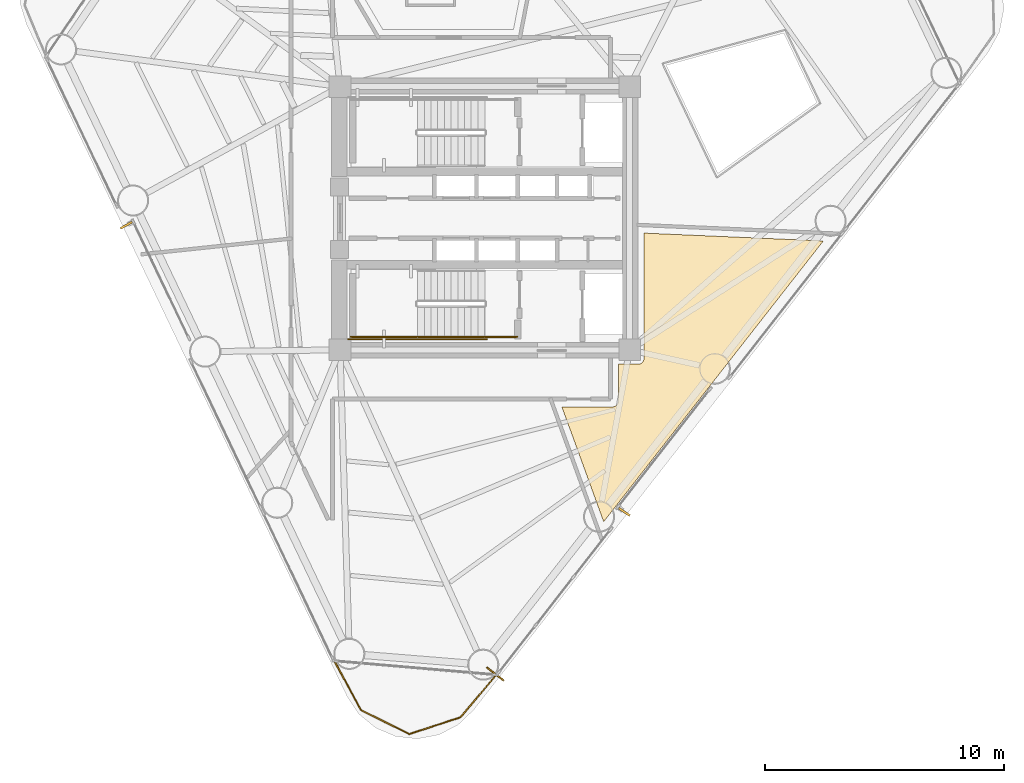
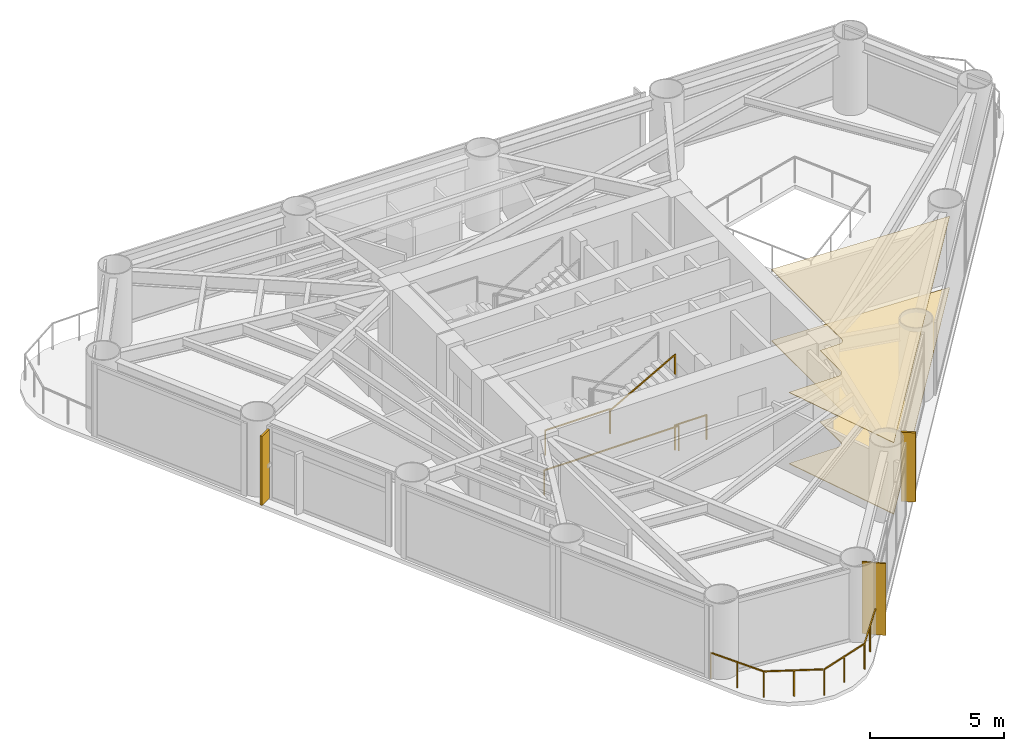
# One storey, part 8 of 10: 5 railings, 3 coverings, 2 shading devices.
"""IFC4 building model written with IfcOpenShell, lengths in metres."""

from ifc_helpers import new_model, si_unit, direction, frame, origin, origin_2d, place, context, subcontext, project, spatial, polyline, rectangle, outline, extrude, source, transform, mapped, material, layer, layer_set, material_profile, profile_set, type_object, element, save


model = new_model("IFC4")

# Units and contexts
model_context = context("Model", 3, precision=1e-05, world=origin(), true_north=direction((0.0, 1.0)))
body_context = subcontext(model_context, "Body", "Model", "MODEL_VIEW")
ifc_project = project(units=[si_unit("LENGTHUNIT", "METRE"), si_unit("AREAUNIT", "SQUARE_METRE"), si_unit("VOLUMEUNIT", "CUBIC_METRE"), si_unit("PLANEANGLEUNIT", "RADIAN"), si_unit("MASSUNIT", "GRAM", prefix="KILO")], contexts=[model_context])

# Site, building, storey
site_placement = place(None, origin())
site = spatial("IfcSite", under=ifc_project, at=site_placement, CompositionType="ELEMENT")
building_placement = place(site_placement, origin())
building = spatial("IfcBuilding", under=site, at=building_placement, Name="Yunling Apex Tower", CompositionType="ELEMENT")
storey_placement = place(building_placement, frame((0.0, 0.0, 129.5)))
storey = spatial("IfcBuildingStorey", under=building, at=storey_placement, Name="L31", CompositionType="ELEMENT", Elevation=129.5)

# Coverings
ifc_material_1 = material(Name="Acoustic mineral fibre ceiling")
ifc_layer_1 = layer(ifc_material_1, 0.02490234375)
ifc_layer_set_1 = layer_set([ifc_layer_1], Name="Acoustic mineral fibre ceiling")
covering_type_1 = type_object("IfcCoveringType", Name="CV-CLG-1", PredefinedType="CEILING", material=ifc_layer_set_1)
covering_1_placement = place(storey_placement, frame((0.0, 0.0, 3.2451171875)))
element("IfcCovering", 1, at=covering_1_placement, inside=storey, type_object=covering_type_1, Name="CV-CL-SP-L31-HAM2", PredefinedType="CEILING", context=body_context, shape_type="SweptSolid", body=[
    extrude(outline(polyline([(14.145263671875, -0.947998046875), (4.96630859375, -12.6796875), (3.21923828125, -7.8798828125), (5.333740234375, -7.8798828125), (5.35498046875, -7.87939453125), (5.380615234375, -7.875), (5.402587890625, -7.869384765625), (5.4248046875, -7.861572265625), (5.4482421875, -7.8505859375), (5.469970703125, -7.83740234375), (5.48876953125, -7.823486328125), (5.5068359375, -7.806884765625), (5.5234375, -7.788818359375), (5.537353515625, -7.77001953125), (5.55078125, -7.748291015625), (5.5615234375, -7.724853515625), (5.569580078125, -7.702392578125), (5.574951171875, -7.6806640625), (5.579345703125, -7.65478515625), (5.580078125, -7.6337890625), (5.580078125, -6.10009765625), (6.40380859375, -6.10009765625), (6.4248046875, -6.099365234375), (6.45068359375, -6.094970703125), (6.472412109375, -6.089599609375), (6.494873046875, -6.08154296875), (6.518310546875, -6.07080078125), (6.5400390625, -6.057373046875), (6.55859375, -6.04345703125), (6.576904296875, -6.02685546875), (6.593505859375, -6.0087890625), (6.607421875, -5.989990234375), (6.62060546875, -5.96826171875), (6.631591796875, -5.94482421875), (6.639404296875, -5.922607421875), (6.64501953125, -5.900634765625), (6.6494140625, -5.875), (6.64990234375, -5.853759765625), (6.64990234375, -0.62060546875), (14.145263671875, -0.947998046875)])), origin(), (0.0, 0.0, 1.0), 0.02490234375),
])
ifc_material_2 = material(Name="Polished granite stone", Category="masonry")
ifc_layer_2 = layer(ifc_material_2, 0.030029296875)
ifc_layer_set_2 = layer_set([ifc_layer_2], Name="Polished granite stone")
covering_type_2 = type_object("IfcCoveringType", Name="CV-FLR-1", PredefinedType="FLOORING", material=ifc_layer_set_2)
covering_2_placement = place(storey_placement, origin())
element("IfcCovering", 2, at=covering_2_placement, inside=storey, type_object=covering_type_2, Name="CV-FL-SP-L31-HAM2", PredefinedType="FLOORING", context=body_context, shape_type="SweptSolid", body=[
    extrude(outline(polyline([(14.145263671875, -0.947998046875), (4.96630859375, -12.6796875), (3.21923828125, -7.8798828125), (5.333740234375, -7.8798828125), (5.35498046875, -7.87939453125), (5.380615234375, -7.875), (5.402587890625, -7.869384765625), (5.4248046875, -7.861572265625), (5.4482421875, -7.8505859375), (5.469970703125, -7.83740234375), (5.48876953125, -7.823486328125), (5.5068359375, -7.806884765625), (5.5234375, -7.788818359375), (5.537353515625, -7.77001953125), (5.55078125, -7.748291015625), (5.5615234375, -7.724853515625), (5.569580078125, -7.702392578125), (5.574951171875, -7.6806640625), (5.579345703125, -7.65478515625), (5.580078125, -7.6337890625), (5.580078125, -6.10009765625), (6.40380859375, -6.10009765625), (6.4248046875, -6.099365234375), (6.45068359375, -6.094970703125), (6.472412109375, -6.089599609375), (6.494873046875, -6.08154296875), (6.518310546875, -6.07080078125), (6.5400390625, -6.057373046875), (6.55859375, -6.04345703125), (6.576904296875, -6.02685546875), (6.593505859375, -6.0087890625), (6.607421875, -5.989990234375), (6.62060546875, -5.96826171875), (6.631591796875, -5.94482421875), (6.639404296875, -5.922607421875), (6.64501953125, -5.900634765625), (6.6494140625, -5.875), (6.64990234375, -5.853759765625), (6.64990234375, -0.62060546875), (14.145263671875, -0.947998046875)])), origin(), (0.0, 0.0, 1.0), 0.030029296875),
])

# Railings
ifc_material_3 = material(Name="Bronze anodised aluminium", Category="aluminium")
railing_type_1 = type_object("IfcRailingType", Name="RL-BAL-1200", PredefinedType="BALUSTRADE", material=ifc_material_3)
railing_1_placement = place(storey_placement, frame((0.4794921875, -19.07958984375, 0.0)))
element("IfcRailing", 3, at=railing_1_placement, inside=storey, type_object=railing_type_1, Name="RL-CRNSILL-L31-3", PredefinedType="BALUSTRADE", context=body_context, shape_type="SweptSolid", body=[
    extrude(rectangle(XDim=0.0439453125, YDim=0.0439453125, at=origin_2d()), origin(), (0.0, 0.0, 1.0), 1.199951171875),
    extrude(rectangle(XDim=0.0439453125, YDim=0.0439453125, at=origin_2d()), frame((-1.49853515625, -1.775390625, 0.0)), (0.0, 0.0, 1.0), 1.199951171875),
    extrude(rectangle(XDim=0.050048828125, YDim=0.050048828125, at=origin_2d()), frame((-0.024658203125, -0.029296875, 1.1748046875), z_axis=(-0.645009043245, -0.764174936865, 0.0), x_axis=(0.764174936865, -0.645009043245, 0.0)), (0.0, 0.0, 1.0), 2.24658203125),
    extrude(rectangle(XDim=0.0439453125, YDim=0.0439453125, at=origin_2d()), frame((-0.749267578125, -0.8876953125, 0.0)), (0.0, 0.0, 1.0), 1.14599609375),
    extrude(rectangle(XDim=0.0439453125, YDim=0.0439453125, at=origin_2d()), frame((-3.640380859375, -2.473876953125, 0.0)), (0.0, 0.0, 1.0), 1.199951171875),
    extrude(rectangle(XDim=0.050048828125, YDim=0.050048828125, at=origin_2d()), frame((-1.534912109375, -1.787353515625, 1.1748046875), z_axis=(-0.950722201045, -0.310044023389, 0.0), x_axis=(0.310044023389, -0.950722201045, 0.0)), (0.0, 0.0, 1.0), 2.17626953125),
    extrude(rectangle(XDim=0.0439453125, YDim=0.0439453125, at=origin_2d()), frame((-2.5693359375, -2.12451171875, 0.0)), (0.0, 0.0, 1.0), 1.14599609375),
    extrude(rectangle(XDim=0.0439453125, YDim=0.0439453125, at=origin_2d()), frame((-5.662841796875, -1.464111328125, 0.0)), (0.0, 0.0, 1.0), 1.199951171875),
    extrude(rectangle(XDim=0.050048828125, YDim=0.050048828125, at=origin_2d()), frame((-3.674560546875, -2.456787109375, 1.1748046875), z_axis=(-0.894686244893, 0.446695112129, 0.0), x_axis=(-0.446695112129, -0.894686244893, 0.0)), (0.0, 0.0, 1.0), 2.183837890625),
    extrude(rectangle(XDim=0.0439453125, YDim=0.0439453125, at=origin_2d()), frame((-4.651611328125, -1.968994140625, 0.0)), (0.0, 0.0, 1.0), 1.14599609375),
    extrude(rectangle(XDim=0.0439453125, YDim=0.0439453125, at=origin_2d()), frame((-6.76416015625, 0.580810546875, 0.0)), (0.0, 0.0, 1.0), 1.199951171875),
    extrude(rectangle(XDim=0.050048828125, YDim=0.050048828125, at=origin_2d()), frame((-5.680908203125, -1.430419921875, 1.1748046875), z_axis=(-0.474168772438, 0.880433969838, 0.0), x_axis=(-0.880433969838, -0.474168772438, 0.0)), (0.0, 0.0, 1.0), 2.245849609375),
    extrude(rectangle(XDim=0.0439453125, YDim=0.0439453125, at=origin_2d()), frame((-6.21337890625, -0.441650390625, 0.0)), (0.0, 0.0, 1.0), 1.14599609375),
])
ifc_material_4 = material(Name="Steel Q355B", Category="steel")
railing_type_2 = type_object("IfcRailingType", Name="RL-GRD-1150", PredefinedType="GUARDRAIL", material=ifc_material_4)
railing_2_placement = place(storey_placement, frame((-2.81005859375, -4.9599609375, 1.72509765625)))
element("IfcRailing", 4, at=railing_2_placement, inside=storey, type_object=railing_type_2, Name="L31 ST-2 stair guard 3", PredefinedType="GUARDRAIL", context=body_context, shape_type="SweptSolid", body=[
    extrude(rectangle(XDim=0.0439453125, YDim=0.0439453125, at=origin_2d()), origin(), (0.0, 0.0, 1.0), 1.14990234375),
    extrude(rectangle(XDim=0.0439453125, YDim=0.0439453125, at=origin_2d()), frame((-2.7900390625, 0.0, 0.0)), (0.0, 0.0, 1.0), 1.14990234375),
    extrude(rectangle(XDim=0.050048828125, YDim=0.050048828125, at=origin_2d()), frame((-0.038330078125, 0.0, 1.125), z_axis=(-1.0, 0.0, 0.0), x_axis=(0.0, -1.0, 0.0)), (0.0, 0.0, 1.0), 2.71337890625),
])
railing_3_placement = place(storey_placement, frame((1.35009765625, -4.9599609375, 0.0)))
element("IfcRailing", 5, at=railing_3_placement, inside=storey, type_object=railing_type_2, Name="L31 ST-2 stair guard 6", PredefinedType="GUARDRAIL", context=body_context, shape_type="SweptSolid", body=[
    extrude(rectangle(XDim=0.0439453125, YDim=0.0439453125, at=origin_2d()), origin(), (0.0, 0.0, 1.0), 1.14990234375),
    extrude(rectangle(XDim=0.0439453125, YDim=0.0439453125, at=origin_2d()), frame((-1.360107421875, 0.0, 0.0)), (0.0, 0.0, 1.0), 1.14990234375),
    extrude(rectangle(XDim=0.050048828125, YDim=0.050048828125, at=origin_2d()), frame((-0.038330078125, 0.0, 1.125), z_axis=(-1.0, 0.0, 0.0), x_axis=(0.0, -1.0, 0.0)), (0.0, 0.0, 1.0), 1.283447265625),
])
railing_4_placement = place(storey_placement, frame((0.090087890625, -5.06005859375, 0.0)))
element("IfcRailing", 6, at=railing_4_placement, inside=storey, type_object=railing_type_2, Name="L31 ST-2 stair guard 7", PredefinedType="GUARDRAIL", context=body_context, shape_type="SweptSolid", body=[
    extrude(rectangle(XDim=0.0439453125, YDim=0.0439453125, at=origin_2d()), origin(), (0.0, 0.0, 1.0), 1.14990234375),
    extrude(rectangle(XDim=0.0439453125, YDim=0.0439453125, at=origin_2d()), frame((-5.7900390625, 0.0, 0.0)), (0.0, 0.0, 1.0), 1.14990234375),
    extrude(rectangle(XDim=0.050048828125, YDim=0.050048828125, at=origin_2d()), frame((-0.038330078125, 0.0, 1.125), z_axis=(-1.0, 0.0, 0.0), x_axis=(0.0, -1.0, 0.0)), (0.0, 0.0, 1.0), 5.71337890625),
])
ifc_material_5 = material(Name="Silver anodised aluminium", Category="aluminium")
railing_type_3 = type_object("IfcRailingType", Name="RL-HND-900", PredefinedType="HANDRAIL", material=ifc_material_5)
railing_5_placement = place(storey_placement, frame((-2.81005859375, -4.9599609375, 1.8818359375)))
element("IfcRailing", 7, at=railing_5_placement, inside=storey, type_object=railing_type_3, Name="L31 ST-2 stair handrail 2", PredefinedType="HANDRAIL", context=body_context, shape_type="SweptSolid", body=[
    extrude(rectangle(XDim=0.0439453125, YDim=0.0439453125, at=origin_2d()), origin(), (0.0, 0.0, 1.0), 0.919921875),
    extrude(rectangle(XDim=0.0439453125, YDim=0.0439453125, at=origin_2d()), frame((2.800048828125, 0.0, 1.568115234375)), (0.0, 0.0, 1.0), 0.919921875),
    extrude(rectangle(XDim=0.050048828125, YDim=0.050048828125, at=origin_2d()), frame((0.033447265625, 0.0, 0.91357421875), z_axis=(0.872494340497, 0.0, 0.48862421737), x_axis=(0.0, 1.0, 0.0)), (0.0, 0.0, 1.0), 3.132568359375),
])

# Covering
ifc_layer_3 = layer(ifc_material_3, 0.0400390625)
ifc_layer_set_3 = layer_set([ifc_layer_3], Name="Bronze anodised aluminium")
covering_type_3 = type_object("IfcCoveringType", Name="CV-CLD-1", PredefinedType="CLADDING", material=ifc_layer_set_3)
shared_shape_1 = source(origin(), body_context, "Body", "SweptSolid", [
    extrude(rectangle(XDim=0.06005859375, YDim=0.89990234375, at=origin_2d()), origin(), (0.0, 0.0, 1.0), 3.27001953125),
])
covering_3_placement = place(storey_placement, frame((0.43212890625, -19.042724609375, 0.0), z_axis=(0.0, 0.0, 1.0), x_axis=(0.616211460536, 0.787580748815, 0.0)))
element("IfcCovering", 8, at=covering_3_placement, inside=storey, type_object=covering_type_3, Name="CV-CLD-L31", PredefinedType="CLADDING", context=body_context, shape_type="MappedRepresentation", body=[
    mapped(shared_shape_1, transform((0.0, 0.0, 0.0), scale=1.0)),
])

# Shading devices
ifc_material_profile = material_profile(ifc_material_3, rectangle(XDim=0.0849609375, YDim=0.550048828125, at=origin_2d()))
ifc_profile_set = profile_set([ifc_material_profile], Name="Bronze anodised aluminium")
shading_device_type = type_object("IfcShadingDeviceType", Name="FN-BRZ-3", PredefinedType="USERDEFINED", material=ifc_profile_set)
shared_shape_2 = source(origin(), body_context, "Body", "SweptSolid", [
    extrude(rectangle(XDim=0.0849609375, YDim=0.550048828125, at=origin_2d()), origin(), (0.0, 0.0, 1.0), 3.14990234375),
])
for number, where, z_axis, x_axis, name in (
    (9, (5.82763671875, -12.268310546875, 0.06005859375), (0.0, 0.0, 1.0), (0.563381859003, 0.826196635763, 0.0), "CW-L31-F1-B2-FIN-01"),
    (10, (-14.984375, -0.2939453125, 0.06005859375), (0.0, 0.0, 1.0), (0.488621241497, -0.872496007073, 0.0), "CW-L31-F3-B2-FIN-01"),
):
    element("IfcShadingDevice", number, at=place(storey_placement, frame(where, z_axis=z_axis, x_axis=x_axis)), inside=storey, type_object=shading_device_type, Name=name, ObjectType="FIN", PredefinedType="USERDEFINED", context=body_context, shape_type="MappedRepresentation", body=[
        mapped(shared_shape_2, transform((0.0, 0.0, 0.0), scale=1.0)),
    ])

save(model, "model.ifc")
